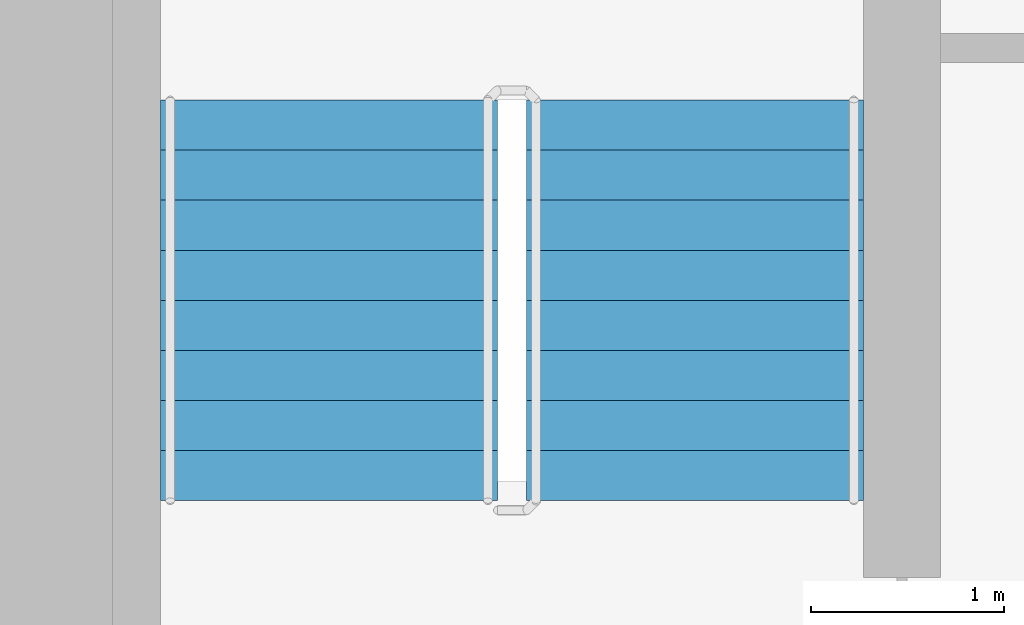
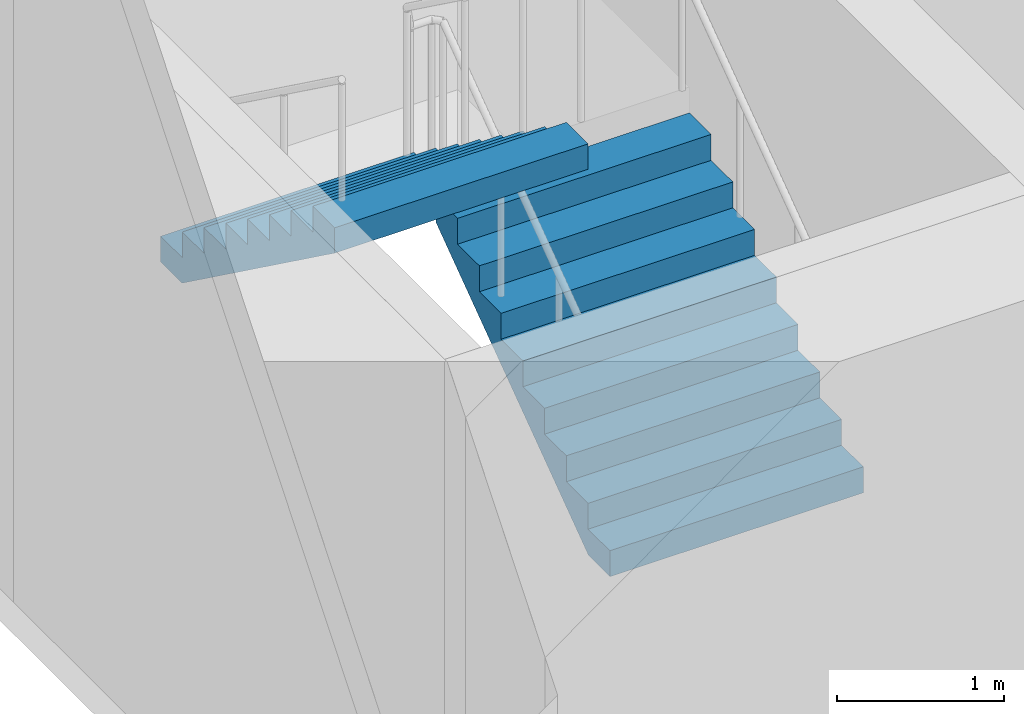
# One storey, part 18 of 21: 2 stair flights, 1 element without a shape of its own.
"""IFC4 building model written with IfcOpenShell, lengths in metres."""

from ifc_helpers import new_model, si_unit, direction, frame, origin, place, context, subcontext, project, spatial, faceted_brep, material, type_object, element, aggregate, save


model = new_model("IFC4")

# Units and contexts
model_context = context("Model", 3, precision=1e-05, world=origin(), true_north=direction((0.0, 1.0)))
body_context = subcontext(model_context, "Body", "Model", "MODEL_VIEW")
ifc_project = project(units=[si_unit("LENGTHUNIT", "METRE"), si_unit("AREAUNIT", "SQUARE_METRE"), si_unit("VOLUMEUNIT", "CUBIC_METRE"), si_unit("PLANEANGLEUNIT", "RADIAN"), si_unit("MASSUNIT", "GRAM", prefix="KILO")], contexts=[model_context])

# Site, building, storey
site_placement = place(None, origin())
site = spatial("IfcSite", under=ifc_project, at=site_placement, CompositionType="ELEMENT")
building_placement = place(site_placement, origin())
building = spatial("IfcBuilding", under=site, at=building_placement, Name="Ipe Terrace Towers", CompositionType="ELEMENT")
storey_placement = place(building_placement, frame((0.0, 0.0, 107.199951171875)))
storey = spatial("IfcBuildingStorey", under=building, at=storey_placement, Name="L29", CompositionType="ELEMENT", Elevation=107.199951171875)

# Stair, stair flights
ifc_material_1 = material(Name="Concrete C30/37", Category="concrete")
stair_type = type_object("IfcStairType", Name="Protected exit stair", PredefinedType="HALF_TURN_STAIR", material=ifc_material_1)
stair_placement = place(storey_placement, origin())
stair = element("IfcStair", 1, at=stair_placement, inside=storey, type_object=stair_type, Name="L29 Exit stair T2-C1", PredefinedType="HALF_TURN_STAIR")
ifc_material_2 = material(Name="Concrete C30/37", Category="concrete")
stair_flight_type = type_object("IfcStairFlightType", Name="Exit stair flight 1750", PredefinedType="STRAIGHT", material=ifc_material_2)
stair_flight_1_placement = place(storey_placement, frame((33.22509765625, 9.699951171875, 0.0), z_axis=(0.0, 0.0, 1.0), x_axis=(0.0, 1.0, 0.0)))
stair_flight_1 = element("IfcStairFlight", 2, at=stair_flight_1_placement, type_object=stair_flight_type, Name="T2-ST1 flight 1", NumberOfRisers=9, NumberOfTreads=8, PredefinedType="STRAIGHT", RiserHeight=0.188888889, TreadLength=0.26, context=body_context, shape_type="Brep", body=[
    faceted_brep([(0.255126953125, -0.875, 0.0), (2.080078125, -0.875, 1.325927734375), (2.080078125, -0.875, 1.51123046875), (1.820068359375, -0.875, 1.51123046875), (1.820068359375, -0.875, 1.322265625), (1.56005859375, -0.875, 1.322265625), (1.56005859375, -0.875, 1.13330078125), (1.300048828125, -0.875, 1.13330078125), (1.300048828125, -0.875, 0.9443359375), (1.0400390625, -0.875, 0.9443359375), (1.0400390625, -0.875, 0.755615234375), (0.780029296875, -0.875, 0.755615234375), (0.780029296875, -0.875, 0.566650390625), (0.52001953125, -0.875, 0.566650390625), (0.52001953125, -0.875, 0.377685546875), (0.260009765625, -0.875, 0.377685546875), (0.260009765625, -0.875, 0.18896484375), (0.0, -0.875, 0.18896484375), (0.0, -0.875, 0.0), (0.0, 0.875, 0.0), (0.0, 0.875, 0.18896484375), (0.260009765625, 0.875, 0.18896484375), (0.260009765625, 0.875, 0.377685546875), (0.52001953125, 0.875, 0.377685546875), (0.52001953125, 0.875, 0.566650390625), (0.780029296875, 0.875, 0.566650390625), (0.780029296875, 0.875, 0.755615234375), (1.0400390625, 0.875, 0.755615234375), (1.0400390625, 0.875, 0.9443359375), (1.300048828125, 0.875, 0.9443359375), (1.300048828125, 0.875, 1.13330078125), (1.56005859375, 0.875, 1.13330078125), (1.56005859375, 0.875, 1.322265625), (1.820068359375, 0.875, 1.322265625), (1.820068359375, 0.875, 1.51123046875), (2.080078125, 0.875, 1.51123046875), (2.080078125, 0.875, 1.325927734375), (0.255126953125, 0.875, 0.0), (0.0, -0.300048828125, 0.18896484375), (0.0, -0.1201171875, 0.18896484375), (0.0, -0.06005859375, 0.18896484375), (0.0, -0.030029296875, 0.18896484375), (0.0, -0.010009765625, 0.18896484375), (0.0, 0.0, 0.18896484375), (0.0, 0.010009765625, 0.18896484375), (0.0, 0.030029296875, 0.18896484375), (0.0, 0.06005859375, 0.18896484375), (0.0, 0.1201171875, 0.18896484375), (0.0, 0.300048828125, 0.18896484375), (0.0, 0.300048828125, 0.0), (0.0, 0.1201171875, 0.0), (0.0, 0.06005859375, 0.0), (0.0, 0.030029296875, 0.0), (0.0, 0.010009765625, 0.0), (0.0, 0.0, 0.0), (0.0, -0.010009765625, 0.0), (0.0, -0.030029296875, 0.0), (0.0, -0.06005859375, 0.0), (0.0, -0.1201171875, 0.0), (0.0, -0.300048828125, 0.0), (0.260009765625, -0.300048828125, 0.18896484375), (0.260009765625, -0.1201171875, 0.18896484375), (0.260009765625, -0.06005859375, 0.18896484375), (0.260009765625, -0.030029296875, 0.18896484375), (0.260009765625, -0.010009765625, 0.18896484375), (0.260009765625, 0.0, 0.18896484375), (0.260009765625, 0.010009765625, 0.18896484375), (0.260009765625, 0.030029296875, 0.18896484375), (0.260009765625, 0.06005859375, 0.18896484375), (0.260009765625, 0.1201171875, 0.18896484375), (0.260009765625, 0.300048828125, 0.18896484375), (0.260009765625, -0.300048828125, 0.377685546875), (0.260009765625, -0.1201171875, 0.377685546875), (0.260009765625, -0.06005859375, 0.377685546875), (0.260009765625, -0.030029296875, 0.377685546875), (0.260009765625, -0.010009765625, 0.377685546875), (0.260009765625, 0.0, 0.377685546875), (0.260009765625, 0.010009765625, 0.377685546875), (0.260009765625, 0.030029296875, 0.377685546875), (0.260009765625, 0.06005859375, 0.377685546875), (0.260009765625, 0.1201171875, 0.377685546875), (0.260009765625, 0.300048828125, 0.377685546875), (0.52001953125, -0.300048828125, 0.377685546875), (0.52001953125, -0.1201171875, 0.377685546875), (0.52001953125, -0.06005859375, 0.377685546875), (0.52001953125, -0.030029296875, 0.377685546875), (0.52001953125, -0.010009765625, 0.377685546875), (0.52001953125, 0.0, 0.377685546875), (0.52001953125, 0.010009765625, 0.377685546875), (0.52001953125, 0.030029296875, 0.377685546875), (0.52001953125, 0.06005859375, 0.377685546875), (0.52001953125, 0.1201171875, 0.377685546875), (0.52001953125, 0.300048828125, 0.377685546875), (0.52001953125, -0.300048828125, 0.566650390625), (0.52001953125, -0.1201171875, 0.566650390625), (0.52001953125, -0.06005859375, 0.566650390625), (0.52001953125, -0.030029296875, 0.566650390625), (0.52001953125, -0.010009765625, 0.566650390625), (0.52001953125, 0.0, 0.566650390625), (0.52001953125, 0.010009765625, 0.566650390625), (0.52001953125, 0.030029296875, 0.566650390625), (0.52001953125, 0.06005859375, 0.566650390625), (0.52001953125, 0.1201171875, 0.566650390625), (0.52001953125, 0.300048828125, 0.566650390625), (0.780029296875, -0.300048828125, 0.566650390625), (0.780029296875, -0.1201171875, 0.566650390625), (0.780029296875, -0.06005859375, 0.566650390625), (0.780029296875, -0.030029296875, 0.566650390625), (0.780029296875, -0.010009765625, 0.566650390625), (0.780029296875, 0.0, 0.566650390625), (0.780029296875, 0.010009765625, 0.566650390625), (0.780029296875, 0.030029296875, 0.566650390625), (0.780029296875, 0.06005859375, 0.566650390625), (0.780029296875, 0.1201171875, 0.566650390625), (0.780029296875, 0.300048828125, 0.566650390625), (0.780029296875, -0.300048828125, 0.755615234375), (0.780029296875, -0.1201171875, 0.755615234375), (0.780029296875, -0.06005859375, 0.755615234375), (0.780029296875, -0.030029296875, 0.755615234375), (0.780029296875, -0.010009765625, 0.755615234375), (0.780029296875, 0.0, 0.755615234375), (0.780029296875, 0.010009765625, 0.755615234375), (0.780029296875, 0.030029296875, 0.755615234375), (0.780029296875, 0.06005859375, 0.755615234375), (0.780029296875, 0.1201171875, 0.755615234375), (0.780029296875, 0.300048828125, 0.755615234375), (1.0400390625, -0.300048828125, 0.755615234375), (1.0400390625, -0.1201171875, 0.755615234375), (1.0400390625, -0.06005859375, 0.755615234375), (1.0400390625, -0.030029296875, 0.755615234375), (1.0400390625, -0.010009765625, 0.755615234375), (1.0400390625, 0.0, 0.755615234375), (1.0400390625, 0.010009765625, 0.755615234375), (1.0400390625, 0.030029296875, 0.755615234375), (1.0400390625, 0.06005859375, 0.755615234375), (1.0400390625, 0.1201171875, 0.755615234375), (1.0400390625, 0.300048828125, 0.755615234375), (1.0400390625, -0.300048828125, 0.9443359375), (1.0400390625, -0.1201171875, 0.9443359375), (1.0400390625, -0.06005859375, 0.9443359375), (1.0400390625, -0.030029296875, 0.9443359375), (1.0400390625, -0.010009765625, 0.9443359375), (1.0400390625, 0.0, 0.9443359375), (1.0400390625, 0.010009765625, 0.9443359375), (1.0400390625, 0.030029296875, 0.9443359375), (1.0400390625, 0.06005859375, 0.9443359375), (1.0400390625, 0.1201171875, 0.9443359375), (1.0400390625, 0.300048828125, 0.9443359375), (1.300048828125, -0.300048828125, 0.9443359375), (1.300048828125, -0.1201171875, 0.9443359375), (1.300048828125, -0.06005859375, 0.9443359375), (1.300048828125, -0.030029296875, 0.9443359375), (1.300048828125, -0.010009765625, 0.9443359375), (1.300048828125, 0.0, 0.9443359375), (1.300048828125, 0.010009765625, 0.9443359375), (1.300048828125, 0.030029296875, 0.9443359375), (1.300048828125, 0.06005859375, 0.9443359375), (1.300048828125, 0.1201171875, 0.9443359375), (1.300048828125, 0.300048828125, 0.9443359375), (1.300048828125, -0.300048828125, 1.13330078125), (1.300048828125, -0.1201171875, 1.13330078125), (1.300048828125, -0.06005859375, 1.13330078125), (1.300048828125, -0.030029296875, 1.13330078125), (1.300048828125, -0.010009765625, 1.13330078125), (1.300048828125, 0.0, 1.13330078125), (1.300048828125, 0.010009765625, 1.13330078125), (1.300048828125, 0.030029296875, 1.13330078125), (1.300048828125, 0.06005859375, 1.13330078125), (1.300048828125, 0.1201171875, 1.13330078125), (1.300048828125, 0.300048828125, 1.13330078125), (1.56005859375, -0.300048828125, 1.13330078125), (1.56005859375, -0.1201171875, 1.13330078125), (1.56005859375, -0.06005859375, 1.13330078125), (1.56005859375, -0.030029296875, 1.13330078125), (1.56005859375, -0.010009765625, 1.13330078125), (1.56005859375, 0.0, 1.13330078125), (1.56005859375, 0.010009765625, 1.13330078125), (1.56005859375, 0.030029296875, 1.13330078125), (1.56005859375, 0.06005859375, 1.13330078125), (1.56005859375, 0.1201171875, 1.13330078125), (1.56005859375, 0.300048828125, 1.13330078125), (1.56005859375, -0.300048828125, 1.322265625), (1.56005859375, -0.1201171875, 1.322265625), (1.56005859375, -0.06005859375, 1.322265625), (1.56005859375, -0.030029296875, 1.322265625), (1.56005859375, -0.010009765625, 1.322265625), (1.56005859375, 0.0, 1.322265625), (1.56005859375, 0.010009765625, 1.322265625), (1.56005859375, 0.030029296875, 1.322265625), (1.56005859375, 0.06005859375, 1.322265625), (1.56005859375, 0.1201171875, 1.322265625), (1.56005859375, 0.300048828125, 1.322265625), (1.820068359375, -0.300048828125, 1.322265625), (1.820068359375, -0.1201171875, 1.322265625), (1.820068359375, -0.06005859375, 1.322265625), (1.820068359375, -0.030029296875, 1.322265625), (1.820068359375, -0.010009765625, 1.322265625), (1.820068359375, 0.0, 1.322265625), (1.820068359375, 0.010009765625, 1.322265625), (1.820068359375, 0.030029296875, 1.322265625), (1.820068359375, 0.06005859375, 1.322265625), (1.820068359375, 0.1201171875, 1.322265625), (1.820068359375, 0.300048828125, 1.322265625), (1.820068359375, -0.300048828125, 1.51123046875), (1.820068359375, -0.1201171875, 1.51123046875), (1.820068359375, -0.06005859375, 1.51123046875), (1.820068359375, -0.030029296875, 1.51123046875), (1.820068359375, -0.010009765625, 1.51123046875), (1.820068359375, 0.0, 1.51123046875), (1.820068359375, 0.010009765625, 1.51123046875), (1.820068359375, 0.030029296875, 1.51123046875), (1.820068359375, 0.06005859375, 1.51123046875), (1.820068359375, 0.1201171875, 1.51123046875), (1.820068359375, 0.300048828125, 1.51123046875), (2.080078125, -0.300048828125, 1.51123046875), (2.080078125, -0.1201171875, 1.51123046875), (2.080078125, -0.06005859375, 1.51123046875), (2.080078125, -0.030029296875, 1.51123046875), (2.080078125, -0.010009765625, 1.51123046875), (2.080078125, 0.0, 1.51123046875), (2.080078125, 0.010009765625, 1.51123046875), (2.080078125, 0.030029296875, 1.51123046875), (2.080078125, 0.06005859375, 1.51123046875), (2.080078125, 0.1201171875, 1.51123046875), (2.080078125, 0.300048828125, 1.51123046875), (2.080078125, -0.300048828125, 1.325927734375), (2.080078125, -0.1201171875, 1.325927734375), (2.080078125, -0.06005859375, 1.325927734375), (2.080078125, -0.030029296875, 1.325927734375), (2.080078125, -0.010009765625, 1.325927734375), (2.080078125, 0.0, 1.325927734375), (2.080078125, 0.010009765625, 1.325927734375), (2.080078125, 0.030029296875, 1.325927734375), (2.080078125, 0.06005859375, 1.325927734375), (2.080078125, 0.1201171875, 1.325927734375), (2.080078125, 0.300048828125, 1.325927734375), (0.255126953125, -0.300048828125, 0.0), (0.255126953125, -0.1201171875, 0.0), (0.255126953125, -0.06005859375, 0.0), (0.255126953125, -0.030029296875, 0.0), (0.255126953125, -0.010009765625, 0.0), (0.255126953125, 0.0, 0.0), (0.255126953125, 0.010009765625, 0.0), (0.255126953125, 0.030029296875, 0.0), (0.255126953125, 0.06005859375, 0.0), (0.255126953125, 0.1201171875, 0.0), (0.255126953125, 0.300048828125, 0.0)], [[[0, 1, 2, 3, 4, 5, 6, 7, 8, 9, 10, 11, 12, 13, 14, 15, 16, 17, 18]], [[19, 20, 21, 22, 23, 24, 25, 26, 27, 28, 29, 30, 31, 32, 33, 34, 35, 36, 37]], [[17, 38, 39, 40, 41, 42, 43, 44, 45, 46, 47, 48, 20, 19, 49, 50, 51, 52, 53, 54, 55, 56, 57, 58, 59, 18]], [[16, 60, 61, 62, 63, 64, 65, 66, 67, 68, 69, 70, 21, 20, 48, 47, 46, 45, 44, 43, 42, 41, 40, 39, 38, 17]], [[15, 71, 72, 73, 74, 75, 76, 77, 78, 79, 80, 81, 22, 21, 70, 69, 68, 67, 66, 65, 64, 63, 62, 61, 60, 16]], [[14, 82, 83, 84, 85, 86, 87, 88, 89, 90, 91, 92, 23, 22, 81, 80, 79, 78, 77, 76, 75, 74, 73, 72, 71, 15]], [[13, 93, 94, 95, 96, 97, 98, 99, 100, 101, 102, 103, 24, 23, 92, 91, 90, 89, 88, 87, 86, 85, 84, 83, 82, 14]], [[12, 104, 105, 106, 107, 108, 109, 110, 111, 112, 113, 114, 25, 24, 103, 102, 101, 100, 99, 98, 97, 96, 95, 94, 93, 13]], [[11, 115, 116, 117, 118, 119, 120, 121, 122, 123, 124, 125, 26, 25, 114, 113, 112, 111, 110, 109, 108, 107, 106, 105, 104, 12]], [[10, 126, 127, 128, 129, 130, 131, 132, 133, 134, 135, 136, 27, 26, 125, 124, 123, 122, 121, 120, 119, 118, 117, 116, 115, 11]], [[9, 137, 138, 139, 140, 141, 142, 143, 144, 145, 146, 147, 28, 27, 136, 135, 134, 133, 132, 131, 130, 129, 128, 127, 126, 10]], [[8, 148, 149, 150, 151, 152, 153, 154, 155, 156, 157, 158, 29, 28, 147, 146, 145, 144, 143, 142, 141, 140, 139, 138, 137, 9]], [[7, 159, 160, 161, 162, 163, 164, 165, 166, 167, 168, 169, 30, 29, 158, 157, 156, 155, 154, 153, 152, 151, 150, 149, 148, 8]], [[6, 170, 171, 172, 173, 174, 175, 176, 177, 178, 179, 180, 31, 30, 169, 168, 167, 166, 165, 164, 163, 162, 161, 160, 159, 7]], [[5, 181, 182, 183, 184, 185, 186, 187, 188, 189, 190, 191, 32, 31, 180, 179, 178, 177, 176, 175, 174, 173, 172, 171, 170, 6]], [[4, 192, 193, 194, 195, 196, 197, 198, 199, 200, 201, 202, 33, 32, 191, 190, 189, 188, 187, 186, 185, 184, 183, 182, 181, 5]], [[3, 203, 204, 205, 206, 207, 208, 209, 210, 211, 212, 213, 34, 33, 202, 201, 200, 199, 198, 197, 196, 195, 194, 193, 192, 4]], [[2, 214, 215, 216, 217, 218, 219, 220, 221, 222, 223, 224, 35, 34, 213, 212, 211, 210, 209, 208, 207, 206, 205, 204, 203, 3]], [[1, 225, 226, 227, 228, 229, 230, 231, 232, 233, 234, 235, 36, 35, 224, 223, 222, 221, 220, 219, 218, 217, 216, 215, 214, 2]], [[0, 236, 237, 238, 239, 240, 241, 242, 243, 244, 245, 246, 37, 36, 235, 234, 233, 232, 231, 230, 229, 228, 227, 226, 225, 1]], [[18, 59, 58, 57, 56, 55, 54, 53, 52, 51, 50, 49, 19, 37, 246, 245, 244, 243, 242, 241, 240, 239, 238, 237, 236, 0]]]),
])
stair_flight_2_placement = place(storey_placement, frame((31.324951171875, 11.780029296875, 1.699951171875), z_axis=(0.0, 0.0, 1.0), x_axis=(0.0, -1.0, 0.0)))
stair_flight_2 = element("IfcStairFlight", 3, at=stair_flight_2_placement, type_object=stair_flight_type, Name="T2-ST1 flight 2", NumberOfRisers=9, NumberOfTreads=8, PredefinedType="STRAIGHT", RiserHeight=0.188888889, TreadLength=0.26, context=body_context, shape_type="Brep", body=[
    faceted_brep([(0.255126953125, -0.875, 0.0), (2.080078125, -0.875, 1.325927734375), (2.080078125, -0.875, 1.51123046875), (1.820068359375, -0.875, 1.51123046875), (1.820068359375, -0.875, 1.322265625), (1.56005859375, -0.875, 1.322265625), (1.56005859375, -0.875, 1.13330078125), (1.300048828125, -0.875, 1.13330078125), (1.300048828125, -0.875, 0.9443359375), (1.0400390625, -0.875, 0.9443359375), (1.0400390625, -0.875, 0.755615234375), (0.780029296875, -0.875, 0.755615234375), (0.780029296875, -0.875, 0.566650390625), (0.52001953125, -0.875, 0.566650390625), (0.52001953125, -0.875, 0.377685546875), (0.260009765625, -0.875, 0.377685546875), (0.260009765625, -0.875, 0.18896484375), (0.0, -0.875, 0.18896484375), (0.0, -0.875, 0.0), (0.0, 0.875, 0.0), (0.0, 0.875, 0.18896484375), (0.260009765625, 0.875, 0.18896484375), (0.260009765625, 0.875, 0.377685546875), (0.52001953125, 0.875, 0.377685546875), (0.52001953125, 0.875, 0.566650390625), (0.780029296875, 0.875, 0.566650390625), (0.780029296875, 0.875, 0.755615234375), (1.0400390625, 0.875, 0.755615234375), (1.0400390625, 0.875, 0.9443359375), (1.300048828125, 0.875, 0.9443359375), (1.300048828125, 0.875, 1.13330078125), (1.56005859375, 0.875, 1.13330078125), (1.56005859375, 0.875, 1.322265625), (1.820068359375, 0.875, 1.322265625), (1.820068359375, 0.875, 1.51123046875), (2.080078125, 0.875, 1.51123046875), (2.080078125, 0.875, 1.325927734375), (0.255126953125, 0.875, 0.0), (0.0, -0.300048828125, 0.18896484375), (0.0, -0.1201171875, 0.18896484375), (0.0, -0.06005859375, 0.18896484375), (0.0, -0.030029296875, 0.18896484375), (0.0, -0.010009765625, 0.18896484375), (0.0, 0.0, 0.18896484375), (0.0, 0.010009765625, 0.18896484375), (0.0, 0.030029296875, 0.18896484375), (0.0, 0.06005859375, 0.18896484375), (0.0, 0.1201171875, 0.18896484375), (0.0, 0.300048828125, 0.18896484375), (0.0, 0.300048828125, 0.0), (0.0, 0.1201171875, 0.0), (0.0, 0.06005859375, 0.0), (0.0, 0.030029296875, 0.0), (0.0, 0.010009765625, 0.0), (0.0, 0.0, 0.0), (0.0, -0.010009765625, 0.0), (0.0, -0.030029296875, 0.0), (0.0, -0.06005859375, 0.0), (0.0, -0.1201171875, 0.0), (0.0, -0.300048828125, 0.0), (0.260009765625, -0.300048828125, 0.18896484375), (0.260009765625, -0.1201171875, 0.18896484375), (0.260009765625, -0.06005859375, 0.18896484375), (0.260009765625, -0.030029296875, 0.18896484375), (0.260009765625, -0.010009765625, 0.18896484375), (0.260009765625, 0.0, 0.18896484375), (0.260009765625, 0.010009765625, 0.18896484375), (0.260009765625, 0.030029296875, 0.18896484375), (0.260009765625, 0.06005859375, 0.18896484375), (0.260009765625, 0.1201171875, 0.18896484375), (0.260009765625, 0.300048828125, 0.18896484375), (0.260009765625, -0.300048828125, 0.377685546875), (0.260009765625, -0.1201171875, 0.377685546875), (0.260009765625, -0.06005859375, 0.377685546875), (0.260009765625, -0.030029296875, 0.377685546875), (0.260009765625, -0.010009765625, 0.377685546875), (0.260009765625, 0.0, 0.377685546875), (0.260009765625, 0.010009765625, 0.377685546875), (0.260009765625, 0.030029296875, 0.377685546875), (0.260009765625, 0.06005859375, 0.377685546875), (0.260009765625, 0.1201171875, 0.377685546875), (0.260009765625, 0.300048828125, 0.377685546875), (0.52001953125, -0.300048828125, 0.377685546875), (0.52001953125, -0.1201171875, 0.377685546875), (0.52001953125, -0.06005859375, 0.377685546875), (0.52001953125, -0.030029296875, 0.377685546875), (0.52001953125, -0.010009765625, 0.377685546875), (0.52001953125, 0.0, 0.377685546875), (0.52001953125, 0.010009765625, 0.377685546875), (0.52001953125, 0.030029296875, 0.377685546875), (0.52001953125, 0.06005859375, 0.377685546875), (0.52001953125, 0.1201171875, 0.377685546875), (0.52001953125, 0.300048828125, 0.377685546875), (0.52001953125, -0.300048828125, 0.566650390625), (0.52001953125, -0.1201171875, 0.566650390625), (0.52001953125, -0.06005859375, 0.566650390625), (0.52001953125, -0.030029296875, 0.566650390625), (0.52001953125, -0.010009765625, 0.566650390625), (0.52001953125, 0.0, 0.566650390625), (0.52001953125, 0.010009765625, 0.566650390625), (0.52001953125, 0.030029296875, 0.566650390625), (0.52001953125, 0.06005859375, 0.566650390625), (0.52001953125, 0.1201171875, 0.566650390625), (0.52001953125, 0.300048828125, 0.566650390625), (0.780029296875, -0.300048828125, 0.566650390625), (0.780029296875, -0.1201171875, 0.566650390625), (0.780029296875, -0.06005859375, 0.566650390625), (0.780029296875, -0.030029296875, 0.566650390625), (0.780029296875, -0.010009765625, 0.566650390625), (0.780029296875, 0.0, 0.566650390625), (0.780029296875, 0.010009765625, 0.566650390625), (0.780029296875, 0.030029296875, 0.566650390625), (0.780029296875, 0.06005859375, 0.566650390625), (0.780029296875, 0.1201171875, 0.566650390625), (0.780029296875, 0.300048828125, 0.566650390625), (0.780029296875, -0.300048828125, 0.755615234375), (0.780029296875, -0.1201171875, 0.755615234375), (0.780029296875, -0.06005859375, 0.755615234375), (0.780029296875, -0.030029296875, 0.755615234375), (0.780029296875, -0.010009765625, 0.755615234375), (0.780029296875, 0.0, 0.755615234375), (0.780029296875, 0.010009765625, 0.755615234375), (0.780029296875, 0.030029296875, 0.755615234375), (0.780029296875, 0.06005859375, 0.755615234375), (0.780029296875, 0.1201171875, 0.755615234375), (0.780029296875, 0.300048828125, 0.755615234375), (1.0400390625, -0.300048828125, 0.755615234375), (1.0400390625, -0.1201171875, 0.755615234375), (1.0400390625, -0.06005859375, 0.755615234375), (1.0400390625, -0.030029296875, 0.755615234375), (1.0400390625, -0.010009765625, 0.755615234375), (1.0400390625, 0.0, 0.755615234375), (1.0400390625, 0.010009765625, 0.755615234375), (1.0400390625, 0.030029296875, 0.755615234375), (1.0400390625, 0.06005859375, 0.755615234375), (1.0400390625, 0.1201171875, 0.755615234375), (1.0400390625, 0.300048828125, 0.755615234375), (1.0400390625, -0.300048828125, 0.9443359375), (1.0400390625, -0.1201171875, 0.9443359375), (1.0400390625, -0.06005859375, 0.9443359375), (1.0400390625, -0.030029296875, 0.9443359375), (1.0400390625, -0.010009765625, 0.9443359375), (1.0400390625, 0.0, 0.9443359375), (1.0400390625, 0.010009765625, 0.9443359375), (1.0400390625, 0.030029296875, 0.9443359375), (1.0400390625, 0.06005859375, 0.9443359375), (1.0400390625, 0.1201171875, 0.9443359375), (1.0400390625, 0.300048828125, 0.9443359375), (1.300048828125, -0.300048828125, 0.9443359375), (1.300048828125, -0.1201171875, 0.9443359375), (1.300048828125, -0.06005859375, 0.9443359375), (1.300048828125, -0.030029296875, 0.9443359375), (1.300048828125, -0.010009765625, 0.9443359375), (1.300048828125, 0.0, 0.9443359375), (1.300048828125, 0.010009765625, 0.9443359375), (1.300048828125, 0.030029296875, 0.9443359375), (1.300048828125, 0.06005859375, 0.9443359375), (1.300048828125, 0.1201171875, 0.9443359375), (1.300048828125, 0.300048828125, 0.9443359375), (1.300048828125, -0.300048828125, 1.13330078125), (1.300048828125, -0.1201171875, 1.13330078125), (1.300048828125, -0.06005859375, 1.13330078125), (1.300048828125, -0.030029296875, 1.13330078125), (1.300048828125, -0.010009765625, 1.13330078125), (1.300048828125, 0.0, 1.13330078125), (1.300048828125, 0.010009765625, 1.13330078125), (1.300048828125, 0.030029296875, 1.13330078125), (1.300048828125, 0.06005859375, 1.13330078125), (1.300048828125, 0.1201171875, 1.13330078125), (1.300048828125, 0.300048828125, 1.13330078125), (1.56005859375, -0.300048828125, 1.13330078125), (1.56005859375, -0.1201171875, 1.13330078125), (1.56005859375, -0.06005859375, 1.13330078125), (1.56005859375, -0.030029296875, 1.13330078125), (1.56005859375, -0.010009765625, 1.13330078125), (1.56005859375, 0.0, 1.13330078125), (1.56005859375, 0.010009765625, 1.13330078125), (1.56005859375, 0.030029296875, 1.13330078125), (1.56005859375, 0.06005859375, 1.13330078125), (1.56005859375, 0.1201171875, 1.13330078125), (1.56005859375, 0.300048828125, 1.13330078125), (1.56005859375, -0.300048828125, 1.322265625), (1.56005859375, -0.1201171875, 1.322265625), (1.56005859375, -0.06005859375, 1.322265625), (1.56005859375, -0.030029296875, 1.322265625), (1.56005859375, -0.010009765625, 1.322265625), (1.56005859375, 0.0, 1.322265625), (1.56005859375, 0.010009765625, 1.322265625), (1.56005859375, 0.030029296875, 1.322265625), (1.56005859375, 0.06005859375, 1.322265625), (1.56005859375, 0.1201171875, 1.322265625), (1.56005859375, 0.300048828125, 1.322265625), (1.820068359375, -0.300048828125, 1.322265625), (1.820068359375, -0.1201171875, 1.322265625), (1.820068359375, -0.06005859375, 1.322265625), (1.820068359375, -0.030029296875, 1.322265625), (1.820068359375, -0.010009765625, 1.322265625), (1.820068359375, 0.0, 1.322265625), (1.820068359375, 0.010009765625, 1.322265625), (1.820068359375, 0.030029296875, 1.322265625), (1.820068359375, 0.06005859375, 1.322265625), (1.820068359375, 0.1201171875, 1.322265625), (1.820068359375, 0.300048828125, 1.322265625), (1.820068359375, -0.300048828125, 1.51123046875), (1.820068359375, -0.1201171875, 1.51123046875), (1.820068359375, -0.06005859375, 1.51123046875), (1.820068359375, -0.030029296875, 1.51123046875), (1.820068359375, -0.010009765625, 1.51123046875), (1.820068359375, 0.0, 1.51123046875), (1.820068359375, 0.010009765625, 1.51123046875), (1.820068359375, 0.030029296875, 1.51123046875), (1.820068359375, 0.06005859375, 1.51123046875), (1.820068359375, 0.1201171875, 1.51123046875), (1.820068359375, 0.300048828125, 1.51123046875), (2.080078125, -0.300048828125, 1.51123046875), (2.080078125, -0.1201171875, 1.51123046875), (2.080078125, -0.06005859375, 1.51123046875), (2.080078125, -0.030029296875, 1.51123046875), (2.080078125, -0.010009765625, 1.51123046875), (2.080078125, 0.0, 1.51123046875), (2.080078125, 0.010009765625, 1.51123046875), (2.080078125, 0.030029296875, 1.51123046875), (2.080078125, 0.06005859375, 1.51123046875), (2.080078125, 0.1201171875, 1.51123046875), (2.080078125, 0.300048828125, 1.51123046875), (2.080078125, -0.300048828125, 1.325927734375), (2.080078125, -0.1201171875, 1.325927734375), (2.080078125, -0.06005859375, 1.325927734375), (2.080078125, -0.030029296875, 1.325927734375), (2.080078125, -0.010009765625, 1.325927734375), (2.080078125, 0.0, 1.325927734375), (2.080078125, 0.010009765625, 1.325927734375), (2.080078125, 0.030029296875, 1.325927734375), (2.080078125, 0.06005859375, 1.325927734375), (2.080078125, 0.1201171875, 1.325927734375), (2.080078125, 0.300048828125, 1.325927734375), (0.255126953125, -0.300048828125, 0.0), (0.255126953125, -0.1201171875, 0.0), (0.255126953125, -0.06005859375, 0.0), (0.255126953125, -0.030029296875, 0.0), (0.255126953125, -0.010009765625, 0.0), (0.255126953125, 0.0, 0.0), (0.255126953125, 0.010009765625, 0.0), (0.255126953125, 0.030029296875, 0.0), (0.255126953125, 0.06005859375, 0.0), (0.255126953125, 0.1201171875, 0.0), (0.255126953125, 0.300048828125, 0.0)], [[[0, 1, 2, 3, 4, 5, 6, 7, 8, 9, 10, 11, 12, 13, 14, 15, 16, 17, 18]], [[19, 20, 21, 22, 23, 24, 25, 26, 27, 28, 29, 30, 31, 32, 33, 34, 35, 36, 37]], [[17, 38, 39, 40, 41, 42, 43, 44, 45, 46, 47, 48, 20, 19, 49, 50, 51, 52, 53, 54, 55, 56, 57, 58, 59, 18]], [[16, 60, 61, 62, 63, 64, 65, 66, 67, 68, 69, 70, 21, 20, 48, 47, 46, 45, 44, 43, 42, 41, 40, 39, 38, 17]], [[15, 71, 72, 73, 74, 75, 76, 77, 78, 79, 80, 81, 22, 21, 70, 69, 68, 67, 66, 65, 64, 63, 62, 61, 60, 16]], [[14, 82, 83, 84, 85, 86, 87, 88, 89, 90, 91, 92, 23, 22, 81, 80, 79, 78, 77, 76, 75, 74, 73, 72, 71, 15]], [[13, 93, 94, 95, 96, 97, 98, 99, 100, 101, 102, 103, 24, 23, 92, 91, 90, 89, 88, 87, 86, 85, 84, 83, 82, 14]], [[12, 104, 105, 106, 107, 108, 109, 110, 111, 112, 113, 114, 25, 24, 103, 102, 101, 100, 99, 98, 97, 96, 95, 94, 93, 13]], [[11, 115, 116, 117, 118, 119, 120, 121, 122, 123, 124, 125, 26, 25, 114, 113, 112, 111, 110, 109, 108, 107, 106, 105, 104, 12]], [[10, 126, 127, 128, 129, 130, 131, 132, 133, 134, 135, 136, 27, 26, 125, 124, 123, 122, 121, 120, 119, 118, 117, 116, 115, 11]], [[9, 137, 138, 139, 140, 141, 142, 143, 144, 145, 146, 147, 28, 27, 136, 135, 134, 133, 132, 131, 130, 129, 128, 127, 126, 10]], [[8, 148, 149, 150, 151, 152, 153, 154, 155, 156, 157, 158, 29, 28, 147, 146, 145, 144, 143, 142, 141, 140, 139, 138, 137, 9]], [[7, 159, 160, 161, 162, 163, 164, 165, 166, 167, 168, 169, 30, 29, 158, 157, 156, 155, 154, 153, 152, 151, 150, 149, 148, 8]], [[6, 170, 171, 172, 173, 174, 175, 176, 177, 178, 179, 180, 31, 30, 169, 168, 167, 166, 165, 164, 163, 162, 161, 160, 159, 7]], [[5, 181, 182, 183, 184, 185, 186, 187, 188, 189, 190, 191, 32, 31, 180, 179, 178, 177, 176, 175, 174, 173, 172, 171, 170, 6]], [[4, 192, 193, 194, 195, 196, 197, 198, 199, 200, 201, 202, 33, 32, 191, 190, 189, 188, 187, 186, 185, 184, 183, 182, 181, 5]], [[3, 203, 204, 205, 206, 207, 208, 209, 210, 211, 212, 213, 34, 33, 202, 201, 200, 199, 198, 197, 196, 195, 194, 193, 192, 4]], [[2, 214, 215, 216, 217, 218, 219, 220, 221, 222, 223, 224, 35, 34, 213, 212, 211, 210, 209, 208, 207, 206, 205, 204, 203, 3]], [[1, 225, 226, 227, 228, 229, 230, 231, 232, 233, 234, 235, 36, 35, 224, 223, 222, 221, 220, 219, 218, 217, 216, 215, 214, 2]], [[0, 236, 237, 238, 239, 240, 241, 242, 243, 244, 245, 246, 37, 36, 235, 234, 233, 232, 231, 230, 229, 228, 227, 226, 225, 1]], [[18, 59, 58, 57, 56, 55, 54, 53, 52, 51, 50, 49, 19, 37, 246, 245, 244, 243, 242, 241, 240, 239, 238, 237, 236, 0]]]),
])
aggregate(stair, [stair_flight_1, stair_flight_2])

save(model, "model.ifc")
